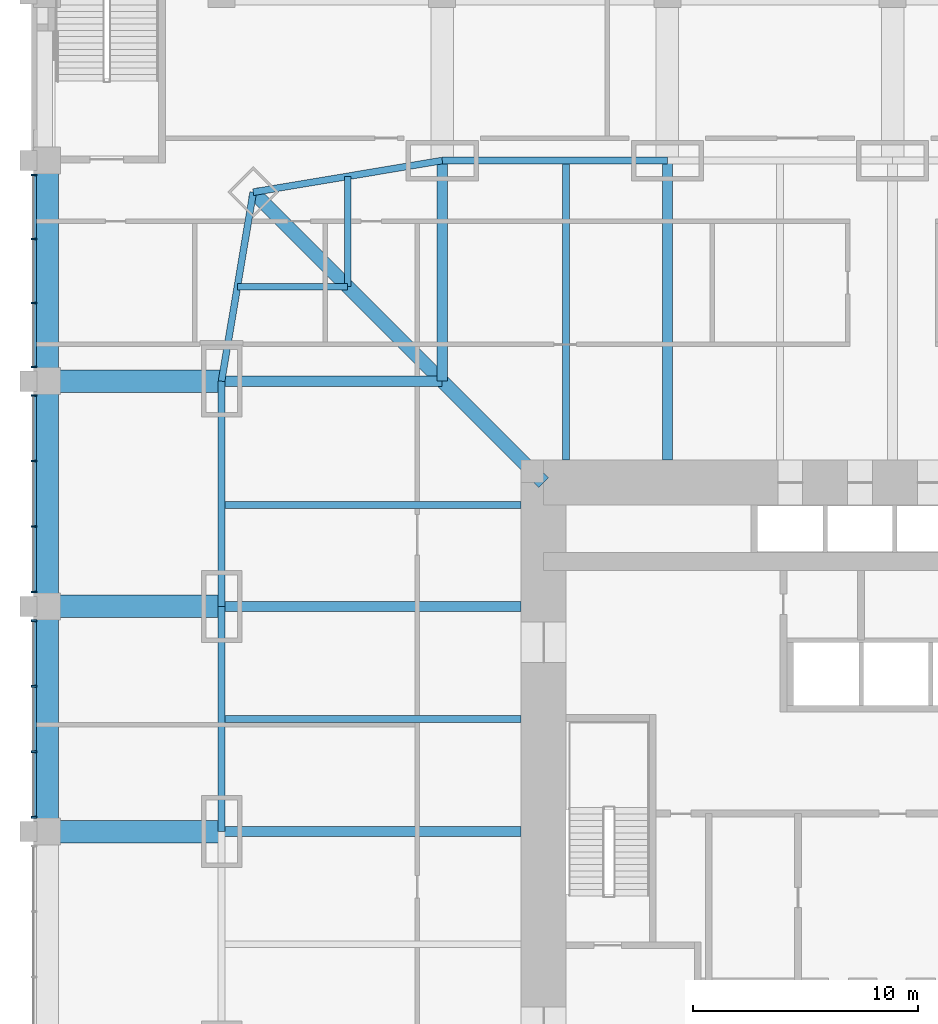
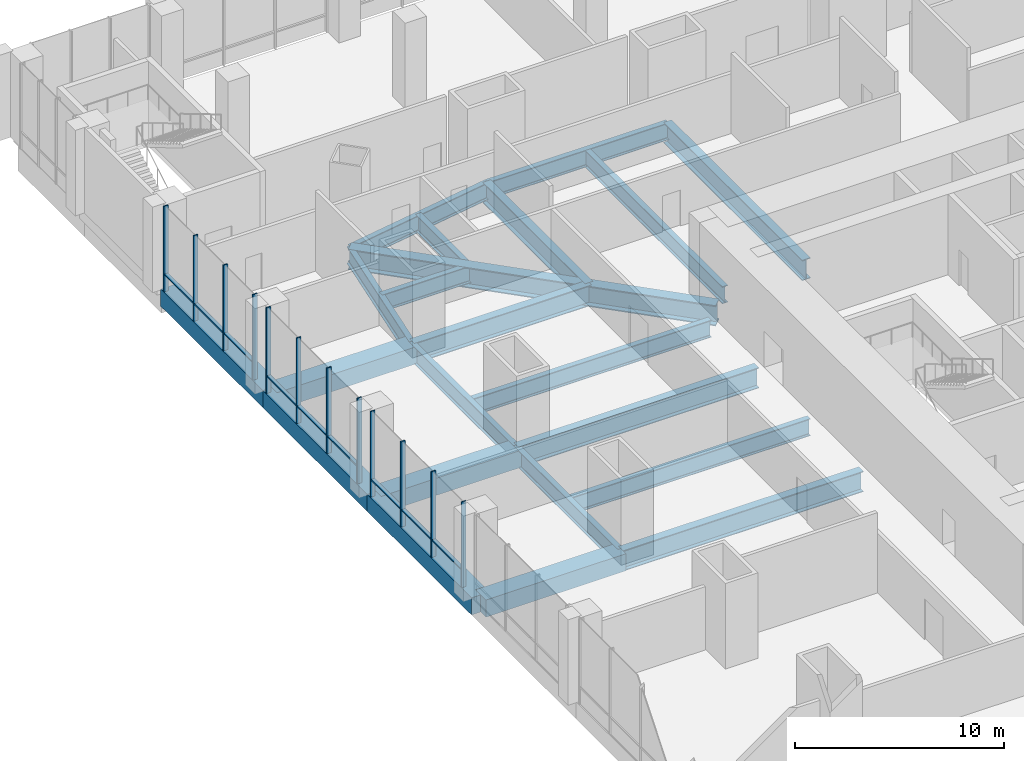
# One storey, part 6 of 24: 22 beams, 21 members, 3 elements without a shape of their own.
"""IFC4 building model written with IfcOpenShell, lengths in metres."""

import ifcopenshell
import ifcopenshell.guid

model = None  # the IFC model being written
_history = None  # IfcOwnerHistory: only IFC2X3 demands one
_inside = {}  # id of a spatial element -> (the spatial element, [elements in it])
_under = {}  # id of a project, library or spatial element -> (it, [spatial elements below it])
_declared = {}  # id of a project -> (the project, [libraries it declares])
_typed = {}  # id of a type object -> (the type object, [elements of that type])
_made_of = {}  # id of a material, layer set ... -> (it, [elements and type objects made of it])


def new_model(schema):
    """Start an empty IFC model of exactly this schema.

    Asked for "IFC4X3", IfcOpenShell would pick the latest addendum, in which some entities
    have other attributes; the version numbers below select the first issue.
    IFC2X3 requires an IfcOwnerHistory on every rooted entity: one is made here for all.
    """
    global model, _history
    if schema == "IFC4X3":
        model = ifcopenshell.file(schema_version=(4, 3, 0, 0))
    else:
        model = ifcopenshell.file(schema=schema)
    _inside.clear()
    _under.clear()
    _declared.clear()
    _typed.clear()
    _made_of.clear()
    _history = None
    if model.schema == "IFC2X3":
        org = make("IfcOrganization", Name="unknown")
        user = make(
            "IfcPersonAndOrganization",
            ThePerson=make("IfcPerson", FamilyName="unknown"),
            TheOrganization=org,
        )
        app = make(
            "IfcApplication",
            ApplicationDeveloper=org,
            Version="unknown",
            ApplicationFullName="unknown",
            ApplicationIdentifier="unknown",
        )
        _history = make(
            "IfcOwnerHistory",
            OwningUser=user,
            OwningApplication=app,
            ChangeAction="ADDED",
            CreationDate=0,
        )
    return model


def make(cls, **values):
    """One entity of the class cls with the attributes given. An attribute that is None is left unset."""
    return model.create_entity(
        cls, **{name: value for name, value in values.items() if value is not None}
    )


def rooted(cls, **values):
    """An entity with a GlobalId (a new one), such as an element, a storey or a relation."""
    return make(cls, GlobalId=ifcopenshell.guid.new(), OwnerHistory=_history, **values)


def si_unit(unit_type, name, prefix=None):
    """IfcSIUnit, for example si_unit("LENGTHUNIT", "METRE", prefix="MILLI")."""
    return make("IfcSIUnit", UnitType=unit_type, Prefix=prefix, Name=name)


def assignment(units):
    """IfcUnitAssignment: the units of a project."""
    return None if units is None else make("IfcUnitAssignment", Units=units)


def point(xyz):
    """IfcCartesianPoint."""
    return None if xyz is None else make("IfcCartesianPoint", Coordinates=xyz)


def direction(xyz):
    """IfcDirection."""
    return None if xyz is None else make("IfcDirection", DirectionRatios=xyz)


def frame(location, z_axis=None, x_axis=None):
    """IfcAxis2Placement3D, a coordinate frame: its origin and axes. An axis left out is left unset."""
    return make(
        "IfcAxis2Placement3D",
        Location=point(location),
        Axis=direction(z_axis),
        RefDirection=direction(x_axis),
    )


def frame_2d(location, x_axis=None):
    """IfcAxis2Placement2D, a coordinate frame in the plane: its origin and x axis."""
    return make(
        "IfcAxis2Placement2D", Location=point(location), RefDirection=direction(x_axis)
    )


def origin():
    """The frame at (0, 0, 0) with its axes left unset."""
    return frame((0.0, 0.0, 0.0))


def origin_2d():
    """The frame at (0, 0) in the plane with its x axis left unset."""
    return frame_2d((0.0, 0.0))


def place(relative_to, where):
    """IfcLocalPlacement: puts the frame where relative to a parent placement (None: the world)."""
    return make(
        "IfcLocalPlacement", PlacementRelTo=relative_to, RelativePlacement=where
    )


def context(
    kind, dimensions, precision=None, world=None, true_north=None, identifier=None
):
    """IfcGeometricRepresentationContext, for example the 3D "Model" context."""
    return make(
        "IfcGeometricRepresentationContext",
        ContextIdentifier=identifier,
        ContextType=kind,
        CoordinateSpaceDimension=dimensions,
        Precision=precision,
        WorldCoordinateSystem=world,
        TrueNorth=true_north,
    )


def subcontext(parent, identifier, kind, view, scale=None):
    """IfcGeometricRepresentationSubContext, for example "Body" below "Model"."""
    return make(
        "IfcGeometricRepresentationSubContext",
        ContextIdentifier=identifier,
        ContextType=kind,
        ParentContext=parent,
        TargetScale=scale,
        TargetView=view,
    )


def project(units=None, contexts=None):
    """IfcProject with its units and contexts."""
    return rooted(
        "IfcProject",
        Name="project",
        RepresentationContexts=contexts,
        UnitsInContext=assignment(units),
    )


def spatial(cls, under=None, at=None, **own):
    """A site, building, storey or space (cls), placed at a placement, below another one or the project."""
    s = rooted(cls, ObjectPlacement=at, **own)
    if under is not None:
        _under.setdefault(under.id(), (under, []))[1].append(s)
    return s


def profile(cls, at=None, kind="AREA", **sizes):
    """A parametric profile (cls). Its sizes go by their IFC names, for example OverallWidth=200.0."""
    return make(cls, ProfileType=kind, Position=at, **sizes)


def rectangle(**sizes):
    """IfcRectangleProfileDef."""
    return profile("IfcRectangleProfileDef", **sizes)


def i_section(**sizes):
    """IfcIShapeProfileDef."""
    return profile("IfcIShapeProfileDef", **sizes)


def extrude(swept, where, along, depth):
    """IfcExtrudedAreaSolid: the profile swept, set in the frame where, extruded along a direction by depth."""
    return make(
        "IfcExtrudedAreaSolid",
        SweptArea=swept,
        Position=where,
        ExtrudedDirection=direction(along),
        Depth=depth,
    )


def shape(context_of_items, identifier, shape_type, items):
    """IfcShapeRepresentation: the items that make up one representation, for example the "Body"."""
    return make(
        "IfcShapeRepresentation",
        ContextOfItems=context_of_items,
        RepresentationIdentifier=identifier,
        RepresentationType=shape_type,
        Items=items,
    )


def material(Name=None, Category=None):
    """IfcMaterial."""
    return make("IfcMaterial", Name=Name, Category=Category)


def material_profile(
    of_material, cross_section, Name=None, Category=None, Priority=None
):
    """IfcMaterialProfile: a cross section and its material."""
    return make(
        "IfcMaterialProfile",
        Name=Name,
        Material=of_material,
        Profile=cross_section,
        Priority=Priority,
        Category=Category,
    )


def profile_set(profiles, Name=None, composite=None):
    """IfcMaterialProfileSet."""
    return make(
        "IfcMaterialProfileSet",
        Name=Name,
        MaterialProfiles=profiles,
        CompositeProfile=composite,
    )


def made_of(thing, what):
    """Note that an element or type object is made of a material, layer set ...; save() writes the relation."""
    if what is not None:
        _made_of.setdefault(what.id(), (what, []))[1].append(thing)
    return thing


def type_object(cls, material=None, **own):
    """A type object (cls), such as IfcWallType, which elements share."""
    return made_of(rooted(cls, **own), material)


def element(
    cls,
    number,
    at=None,
    inside=None,
    cuts=None,
    type_object=None,
    material=None,
    context=None,
    identifier="Body",
    shape_type=None,
    held_by="IfcProductDefinitionShape",
    body=None,
    shapes=None,
    **own,
):
    """One element of the class cls, such as IfcWall. Its Tag is "e" and its number.

    at: its placement. inside: the storey or other place that contains it. cuts: it is an
    opening in that element (IfcRelVoidsElement). A single representation is given by context,
    identifier, shape_type and body (its items); several are given by shapes. held_by: the class
    of the entity that holds the representations. save() writes the other relations.
    """
    e = rooted(cls, Tag="e%d" % number, ObjectPlacement=at, **own)
    if body is not None:
        shapes = [shape(context, identifier, shape_type, body)]
    if shapes is not None:
        e.Representation = make(held_by, Representations=shapes)
    if inside is not None:
        _inside.setdefault(inside.id(), (inside, []))[1].append(e)
    if cuts is not None:
        rooted(
            "IfcRelVoidsElement", RelatingBuildingElement=cuts, RelatedOpeningElement=e
        )
    if type_object is not None:
        _typed.setdefault(type_object.id(), (type_object, []))[1].append(e)
    return made_of(e, material)


def aggregate(whole, parts):
    """IfcRelAggregates: a whole, such as a stair, and the parts it consists of."""
    return rooted("IfcRelAggregates", RelatingObject=whole, RelatedObjects=parts)


def save(model, path):
    """Write the relations noted so far, then the file.

    IfcRelAggregates (storeys below a building ...), IfcRelContainedInSpatialStructure (elements
    in a storey), IfcRelDefinesByType, IfcRelAssociatesMaterial and IfcRelDeclares: one each for
    every whole, place, type object, material and project.
    """
    for whole, parts in _under.values():
        aggregate(whole, parts)
    for where, things in _inside.values():
        rooted(
            "IfcRelContainedInSpatialStructure",
            RelatedElements=things,
            RelatingStructure=where,
        )
    for kind, things in _typed.values():
        rooted("IfcRelDefinesByType", RelatedObjects=things, RelatingType=kind)
    for what, things in _made_of.values():
        rooted("IfcRelAssociatesMaterial", RelatedObjects=things, RelatingMaterial=what)
    for by, libraries in _declared.values():
        rooted("IfcRelDeclares", RelatingContext=by, RelatedDefinitions=libraries)
    model.write(path)


model = new_model("IFC4")

# Units and contexts
model_context = context("Model", 3, precision=1e-05, world=origin(), true_north=direction((0.0, 1.0)))
body_context = subcontext(model_context, "Body", "Model", "MODEL_VIEW")
ifc_project = project(units=[si_unit("LENGTHUNIT", "METRE"), si_unit("AREAUNIT", "SQUARE_METRE"), si_unit("VOLUMEUNIT", "CUBIC_METRE"), si_unit("PLANEANGLEUNIT", "RADIAN"), si_unit("MASSUNIT", "GRAM", prefix="KILO")], contexts=[model_context])

# Site, building, storey
site_placement = place(None, origin())
site = spatial("IfcSite", under=ifc_project, at=site_placement, CompositionType="ELEMENT")
building_placement = place(site_placement, origin())
building = spatial("IfcBuilding", under=site, at=building_placement, Name="Khuree Lantern Residences", CompositionType="ELEMENT")
storey_placement = place(building_placement, frame((0.0, 0.0, 6.0)))
storey = spatial("IfcBuildingStorey", under=building, at=storey_placement, Name="L01", CompositionType="ELEMENT", Elevation=6.0)

# Beams
ifc_material_1 = material(Name="Steel S355", Category="steel")
ifc_material_profile_1 = material_profile(ifc_material_1, i_section(OverallWidth=0.300048828125, OverallDepth=1.0, WebThickness=0.01904296875, FlangeThickness=0.035888671875, FilletRadius=0.030029296875, at=origin_2d()), Name="HE 1000 B")
ifc_profile_set_1 = profile_set([ifc_material_profile_1], Name="Steel S355")
beam_type_1 = type_object("IfcBeamType", Name="B-01 SECONDARY BEAM HE 1000 B", PredefinedType="BEAM", material=ifc_profile_set_1)
for number, where, z_axis, x_axis, name in (
    (1, (-14.5, 29.800048828125, -0.800048828125), (0.0, -1.0, 0.0), (1.0, 0.0, 0.0), "Secondary beam N1"),
    (2, (-29.800048828125, 5.0, -0.800048828125), (1.0, 0.0, 0.0), (0.0, 1.0, 0.0), "Secondary beam W4"),
    (3, (-29.800048828125, 14.5, -0.800048828125), (1.0, 0.0, 0.0), (0.0, 1.0, 0.0), "Secondary beam W5"),
):
    element("IfcBeam", number, at=place(storey_placement, frame(where, z_axis=z_axis, x_axis=x_axis)), inside=storey, type_object=beam_type_1, Name=name, PredefinedType="BEAM", context=body_context, shape_type="SweptSolid", body=[
        extrude(i_section(OverallWidth=0.300048828125, OverallDepth=1.0, WebThickness=0.01904296875, FlangeThickness=0.035888671875, FilletRadius=0.030029296875, at=origin_2d()), origin(), (0.0, 0.0, 1.0), 13.300048828125),
    ])
for number, where, z_axis, x_axis, name in (
    (4, (-29.09716796875, 24.197021484375, -0.800048828125), (1.0, 0.0, 0.0), (0.0, 1.0, 0.0), "Secondary beam W6"),
    (5, (-24.197021484375, 29.09716796875, -0.800048828125), (0.0, -1.0, 0.0), (1.0, 0.0, 0.0), "Secondary beam N6"),
):
    element("IfcBeam", number, at=place(storey_placement, frame(where, z_axis=z_axis, x_axis=x_axis)), inside=storey, type_object=beam_type_1, Name=name, PredefinedType="BEAM", context=body_context, shape_type="SweptSolid", body=[
        extrude(i_section(OverallWidth=0.300048828125, OverallDepth=1.0, WebThickness=0.01904296875, FlangeThickness=0.035888671875, FilletRadius=0.030029296875, at=origin_2d()), origin(), (0.0, 0.0, 1.0), 4.900146484375),
    ])
ifc_material_profile_2 = material_profile(ifc_material_1, i_section(OverallWidth=0.300048828125, OverallDepth=1.0, WebThickness=0.01904296875, FlangeThickness=0.035888671875, FilletRadius=0.030029296875, at=origin_2d()), Name="HE 1000 B")
ifc_profile_set_2 = profile_set([ifc_material_profile_2], Name="Steel S355")
beam_type_2 = type_object("IfcBeamType", Name="E-01 SPANDREL BEAM HE 1000 B", PredefinedType="SPANDREL", material=ifc_profile_set_2)
for number, where, z_axis, x_axis, name in (
    (6, (-20.0, 29.800048828125, -0.800048828125), (1.0, 0.0, 0.0), (0.0, 1.0, 0.0), "Spandrel beam N1"),
    (7, (-29.800048828125, 0.0, -0.800048828125), (0.0, 1.0, 0.0), (-1.0, 0.0, 0.0), "Spandrel beam W4"),
    (8, (-29.800048828125, 10.0, -0.800048828125), (0.0, 1.0, 0.0), (-1.0, 0.0, 0.0), "Spandrel beam W5"),
):
    element("IfcBeam", number, at=place(storey_placement, frame(where, z_axis=z_axis, x_axis=x_axis)), inside=storey, type_object=beam_type_2, Name=name, PredefinedType="SPANDREL", context=body_context, shape_type="SweptSolid", body=[
        extrude(i_section(OverallWidth=0.300048828125, OverallDepth=1.0, WebThickness=0.01904296875, FlangeThickness=0.035888671875, FilletRadius=0.030029296875, at=origin_2d()), origin(), (0.0, 0.0, 1.0), 10.0),
    ])
for number, where, z_axis, x_axis, name in (
    (9, (-29.800048828125, 20.0, -0.800048828125), (0.165199022349, 0.986260251158, 0.0), (-0.986260251158, 0.165199022349, 0.0), "Spandrel beam W6"),
    (10, (-28.39404296875, 28.39404296875, -0.800048828125), (0.986260251158, 0.165199022349, 0.0), (-0.165199022349, 0.986260251158, 0.0), "Spandrel beam N6"),
):
    element("IfcBeam", number, at=place(storey_placement, frame(where, z_axis=z_axis, x_axis=x_axis)), inside=storey, type_object=beam_type_2, Name=name, PredefinedType="SPANDREL", context=body_context, shape_type="SweptSolid", body=[
        extrude(i_section(OverallWidth=0.300048828125, OverallDepth=1.0, WebThickness=0.01904296875, FlangeThickness=0.035888671875, FilletRadius=0.030029296875, at=origin_2d()), origin(), (0.0, 0.0, 1.0), 8.510986328125),
    ])
ifc_material_profile_3 = material_profile(ifc_material_1, i_section(OverallWidth=0.449951171875, OverallDepth=1.199951171875, WebThickness=0.02490234375, FlangeThickness=0.044921875, at=origin_2d()), Name="WELDED I 1200X450X25X45")
ifc_profile_set_3 = profile_set([ifc_material_profile_3], Name="Steel S355")
beam_type_3 = type_object("IfcBeamType", Name="G-01 GIRDER WELDED I 1200X450X25X45", PredefinedType="BEAM", material=ifc_profile_set_3)
beam_1_placement = place(storey_placement, frame((-20.0, 29.800048828125, -0.89990234375), z_axis=(0.0, -1.0, 0.0), x_axis=(1.0, 0.0, 0.0)))
element("IfcBeam", 11, at=beam_1_placement, inside=storey, type_object=beam_type_3, Name="Girder N1", PredefinedType="BEAM", context=body_context, shape_type="SweptSolid", body=[
    extrude(i_section(OverallWidth=0.449951171875, OverallDepth=1.199951171875, WebThickness=0.02490234375, FlangeThickness=0.044921875, at=origin_2d()), origin(), (0.0, 0.0, 1.0), 9.800048828125),
])
for number, where, z_axis, x_axis, name in (
    (12, (-10.0, 29.800048828125, -0.89990234375), (0.0, -1.0, 0.0), (1.0, 0.0, 0.0), "Girder N2"),
    (13, (-29.800048828125, 0.0, -0.89990234375), (1.0, 0.0, 0.0), (0.0, 1.0, 0.0), "Girder W3"),
    (14, (-29.800048828125, 10.0, -0.89990234375), (1.0, 0.0, 0.0), (0.0, 1.0, 0.0), "Girder W4"),
):
    element("IfcBeam", number, at=place(storey_placement, frame(where, z_axis=z_axis, x_axis=x_axis)), inside=storey, type_object=beam_type_3, Name=name, PredefinedType="BEAM", context=body_context, shape_type="SweptSolid", body=[
        extrude(i_section(OverallWidth=0.449951171875, OverallDepth=1.199951171875, WebThickness=0.02490234375, FlangeThickness=0.044921875, at=origin_2d()), origin(), (0.0, 0.0, 1.0), 13.300048828125),
    ])
beam_2_placement = place(storey_placement, frame((-29.800048828125, 20.0, -0.89990234375), z_axis=(1.0, 0.0, 0.0), x_axis=(0.0, 1.0, 0.0)))
element("IfcBeam", 15, at=beam_2_placement, inside=storey, type_object=beam_type_3, Name="Girder W5", PredefinedType="BEAM", context=body_context, shape_type="SweptSolid", body=[
    extrude(i_section(OverallWidth=0.449951171875, OverallDepth=1.199951171875, WebThickness=0.02490234375, FlangeThickness=0.044921875, at=origin_2d()), origin(), (0.0, 0.0, 1.0), 9.800048828125),
])
ifc_material_profile_4 = material_profile(ifc_material_1, i_section(OverallWidth=0.60009765625, OverallDepth=1.199951171875, WebThickness=0.030029296875, FlangeThickness=0.06005859375, at=origin_2d()), Name="WELDED I 1200X600X30X60")
ifc_profile_set_4 = profile_set([ifc_material_profile_4], Name="Steel S355")
beam_type_4 = type_object("IfcBeamType", Name="GD-01 CORNER GIRDER WELDED I 1200X600X30X60", PredefinedType="BEAM", material=ifc_profile_set_4)
beam_3_placement = place(storey_placement, frame((-28.39404296875, 28.39404296875, -0.89990234375), z_axis=(0.707106781187, -0.707106781187, 0.0), x_axis=(0.707106781187, 0.707106781187, 0.0)))
element("IfcBeam", 16, at=beam_3_placement, inside=storey, type_object=beam_type_4, Name="Corner girder NW", PredefinedType="BEAM", context=body_context, shape_type="SweptSolid", body=[
    extrude(i_section(OverallWidth=0.60009765625, OverallDepth=1.199951171875, WebThickness=0.030029296875, FlangeThickness=0.06005859375, at=origin_2d()), origin(), (0.0, 0.0, 1.0), 18.23486328125),
])

# Curtain wall, members
ifc_material_2 = material(Name="Bronze anodised aluminium", Category="aluminium")
curtain_wall_type = type_object("IfcCurtainWallType", Name="CW-P PODIUM STOREFRONT CURTAIN WALL", PredefinedType="USERDEFINED", material=ifc_material_2)
curtain_wall_1_placement = place(storey_placement, origin())
curtain_wall_1 = element("IfcCurtainWall", 17, at=curtain_wall_1_placement, inside=storey, type_object=curtain_wall_type, Name="L01 WEST FACE BAY 3 STOREFRONT", ObjectType="Storefront curtain wall", PredefinedType="USERDEFINED")
ifc_material_profile_5 = material_profile(ifc_material_2, rectangle(XDim=0.074951171875, YDim=0.25, at=origin_2d()), Name="M5 75X250")
ifc_profile_set_5 = profile_set([ifc_material_profile_5], Name="Bronze anodised aluminium")
member_type_1 = type_object("IfcMemberType", Name="MULLION M5 STOREFRONT 75X250", PredefinedType="MULLION", material=ifc_profile_set_5)
member_1_placement = place(storey_placement, frame((-38.125, 29.16259765625, 0.0), z_axis=(0.0, 0.0, 1.0), x_axis=(0.0, -1.0, 0.0)))
member_1 = element("IfcMember", 18, at=member_1_placement, type_object=member_type_1, Name="L01 WEST FACE BAY 3 MULLION 1", PredefinedType="MULLION", context=body_context, shape_type="SweptSolid", body=[
    extrude(rectangle(XDim=0.074951171875, YDim=0.25, at=origin_2d()), origin(), (0.0, 0.0, 1.0), 5.0),
])
member_2_placement = place(storey_placement, frame((-38.125, 26.32080078125, 0.0), z_axis=(0.0, 0.0, 1.0), x_axis=(0.0, -1.0, 0.0)))
member_2 = element("IfcMember", 19, at=member_2_placement, type_object=member_type_1, Name="L01 WEST FACE BAY 3 MULLION 2", PredefinedType="MULLION", context=body_context, shape_type="SweptSolid", body=[
    extrude(rectangle(XDim=0.074951171875, YDim=0.25, at=origin_2d()), origin(), (0.0, 0.0, 1.0), 5.0),
])
member_3_placement = place(storey_placement, frame((-38.125, 23.479248046875, 0.0), z_axis=(0.0, 0.0, 1.0), x_axis=(0.0, -1.0, 0.0)))
member_3 = element("IfcMember", 20, at=member_3_placement, type_object=member_type_1, Name="L01 WEST FACE BAY 3 MULLION 3", PredefinedType="MULLION", context=body_context, shape_type="SweptSolid", body=[
    extrude(rectangle(XDim=0.074951171875, YDim=0.25, at=origin_2d()), origin(), (0.0, 0.0, 1.0), 5.0),
])
member_4_placement = place(storey_placement, frame((-38.125, 20.637451171875, 0.0), z_axis=(0.0, 0.0, 1.0), x_axis=(0.0, -1.0, 0.0)))
member_4 = element("IfcMember", 21, at=member_4_placement, type_object=member_type_1, Name="L01 WEST FACE BAY 3 MULLION 4", PredefinedType="MULLION", context=body_context, shape_type="SweptSolid", body=[
    extrude(rectangle(XDim=0.074951171875, YDim=0.25, at=origin_2d()), origin(), (0.0, 0.0, 1.0), 5.0),
])

curtain_wall_2_placement = place(storey_placement, origin())
curtain_wall_2 = element("IfcCurtainWall", 22, at=curtain_wall_2_placement, inside=storey, type_object=curtain_wall_type, Name="L01 WEST FACE BAY 4 STOREFRONT", ObjectType="Storefront curtain wall", PredefinedType="USERDEFINED")
member_5_placement = place(storey_placement, frame((-38.125, 19.362548828125, 0.0), z_axis=(0.0, 0.0, 1.0), x_axis=(0.0, -1.0, 0.0)))
member_5 = element("IfcMember", 23, at=member_5_placement, type_object=member_type_1, Name="L01 WEST FACE BAY 4 MULLION 1", PredefinedType="MULLION", context=body_context, shape_type="SweptSolid", body=[
    extrude(rectangle(XDim=0.074951171875, YDim=0.25, at=origin_2d()), origin(), (0.0, 0.0, 1.0), 5.0),
])
member_6_placement = place(storey_placement, frame((-38.125, 16.4541015625, 0.0), z_axis=(0.0, 0.0, 1.0), x_axis=(0.0, -1.0, 0.0)))
member_6 = element("IfcMember", 24, at=member_6_placement, type_object=member_type_1, Name="L01 WEST FACE BAY 4 MULLION 2", PredefinedType="MULLION", context=body_context, shape_type="SweptSolid", body=[
    extrude(rectangle(XDim=0.074951171875, YDim=0.25, at=origin_2d()), origin(), (0.0, 0.0, 1.0), 5.0),
])
member_7_placement = place(storey_placement, frame((-38.125, 13.5458984375, 0.0), z_axis=(0.0, 0.0, 1.0), x_axis=(0.0, -1.0, 0.0)))
member_7 = element("IfcMember", 25, at=member_7_placement, type_object=member_type_1, Name="L01 WEST FACE BAY 4 MULLION 3", PredefinedType="MULLION", context=body_context, shape_type="SweptSolid", body=[
    extrude(rectangle(XDim=0.074951171875, YDim=0.25, at=origin_2d()), origin(), (0.0, 0.0, 1.0), 5.0),
])
member_8_placement = place(storey_placement, frame((-38.125, 10.637451171875, 0.0), z_axis=(0.0, 0.0, 1.0), x_axis=(0.0, -1.0, 0.0)))
member_8 = element("IfcMember", 26, at=member_8_placement, type_object=member_type_1, Name="L01 WEST FACE BAY 4 MULLION 4", PredefinedType="MULLION", context=body_context, shape_type="SweptSolid", body=[
    extrude(rectangle(XDim=0.074951171875, YDim=0.25, at=origin_2d()), origin(), (0.0, 0.0, 1.0), 5.0),
])

curtain_wall_3_placement = place(storey_placement, origin())
curtain_wall_3 = element("IfcCurtainWall", 27, at=curtain_wall_3_placement, inside=storey, type_object=curtain_wall_type, Name="L01 WEST FACE BAY 5 STOREFRONT", ObjectType="Storefront curtain wall", PredefinedType="USERDEFINED")
member_9_placement = place(storey_placement, frame((-38.125, 9.362548828125, 0.0), z_axis=(0.0, 0.0, 1.0), x_axis=(0.0, -1.0, 0.0)))
member_9 = element("IfcMember", 28, at=member_9_placement, type_object=member_type_1, Name="L01 WEST FACE BAY 5 MULLION 1", PredefinedType="MULLION", context=body_context, shape_type="SweptSolid", body=[
    extrude(rectangle(XDim=0.074951171875, YDim=0.25, at=origin_2d()), origin(), (0.0, 0.0, 1.0), 5.0),
])
member_10_placement = place(storey_placement, frame((-38.125, 6.4541015625, 0.0), z_axis=(0.0, 0.0, 1.0), x_axis=(0.0, -1.0, 0.0)))
member_10 = element("IfcMember", 29, at=member_10_placement, type_object=member_type_1, Name="L01 WEST FACE BAY 5 MULLION 2", PredefinedType="MULLION", context=body_context, shape_type="SweptSolid", body=[
    extrude(rectangle(XDim=0.074951171875, YDim=0.25, at=origin_2d()), origin(), (0.0, 0.0, 1.0), 5.0),
])
member_11_placement = place(storey_placement, frame((-38.125, 3.5458984375, 0.0), z_axis=(0.0, 0.0, 1.0), x_axis=(0.0, -1.0, 0.0)))
member_11 = element("IfcMember", 30, at=member_11_placement, type_object=member_type_1, Name="L01 WEST FACE BAY 5 MULLION 3", PredefinedType="MULLION", context=body_context, shape_type="SweptSolid", body=[
    extrude(rectangle(XDim=0.074951171875, YDim=0.25, at=origin_2d()), origin(), (0.0, 0.0, 1.0), 5.0),
])
member_12_placement = place(storey_placement, frame((-38.125, 0.637451171875, 0.0), z_axis=(0.0, 0.0, 1.0), x_axis=(0.0, -1.0, 0.0)))
member_12 = element("IfcMember", 31, at=member_12_placement, type_object=member_type_1, Name="L01 WEST FACE BAY 5 MULLION 4", PredefinedType="MULLION", context=body_context, shape_type="SweptSolid", body=[
    extrude(rectangle(XDim=0.074951171875, YDim=0.25, at=origin_2d()), origin(), (0.0, 0.0, 1.0), 5.0),
])

# Beams
ifc_material_3 = material(Name="Concrete C40/50", Category="concrete")
ifc_material_profile_6 = material_profile(ifc_material_3, rectangle(XDim=1.0, YDim=1.0, at=origin_2d()), Name="RC 1000X1000")
ifc_profile_set_6 = profile_set([ifc_material_profile_6], Name="Concrete C40/50")
beam_type_5 = type_object("IfcBeamType", Name="RB3 PODIUM BEAM RC 1000X1000", PredefinedType="BEAM", material=ifc_profile_set_6)
for number, where, z_axis, x_axis, name in (
    (32, (-37.550048828125, 0.0, -0.800048828125), (1.0, 0.0, 0.0), (0.0, 1.0, 0.0), "Podium beam RB-5"),
    (33, (-37.550048828125, 10.0, -0.800048828125), (1.0, 0.0, 0.0), (0.0, 1.0, 0.0), "Podium beam RB-7"),
    (34, (-37.550048828125, 20.0, -0.800048828125), (1.0, 0.0, 0.0), (0.0, 1.0, 0.0), "Podium beam RB-9"),
):
    element("IfcBeam", number, at=place(storey_placement, frame(where, z_axis=z_axis, x_axis=x_axis)), inside=storey, type_object=beam_type_5, Name=name, PredefinedType="BEAM", context=body_context, shape_type="SweptSolid", body=[
        extrude(rectangle(XDim=1.0, YDim=1.0, at=origin_2d()), origin(), (0.0, 0.0, 1.0), 7.75),
    ])
for number, where, z_axis, x_axis, name in (
    (35, (-37.550048828125, 0.0, -0.800048828125), (0.0, 1.0, 0.0), (-1.0, 0.0, 0.0), "Podium beam RB-28"),
    (36, (-37.550048828125, 10.0, -0.800048828125), (0.0, 1.0, 0.0), (-1.0, 0.0, 0.0), "Podium beam RB-29"),
):
    element("IfcBeam", number, at=place(storey_placement, frame(where, z_axis=z_axis, x_axis=x_axis)), inside=storey, type_object=beam_type_5, Name=name, PredefinedType="BEAM", context=body_context, shape_type="SweptSolid", body=[
        extrude(rectangle(XDim=1.0, YDim=1.0, at=origin_2d()), origin(), (0.0, 0.0, 1.0), 10.0),
    ])
beam_4_placement = place(storey_placement, frame((-37.550048828125, 20.0, -0.800048828125), z_axis=(0.0, 1.0, 0.0), x_axis=(-1.0, 0.0, 0.0)))
element("IfcBeam", 37, at=beam_4_placement, inside=storey, type_object=beam_type_5, Name="Podium beam RB-30", PredefinedType="BEAM", context=body_context, shape_type="SweptSolid", body=[
    extrude(rectangle(XDim=1.0, YDim=1.0, at=origin_2d()), origin(), (0.0, 0.0, 1.0), 9.800048828125),
])

# Member
ifc_material_profile_7 = material_profile(ifc_material_2, rectangle(XDim=0.199951171875, YDim=0.074951171875, at=origin_2d()), Name="T5 200X75")
ifc_profile_set_7 = profile_set([ifc_material_profile_7], Name="Bronze anodised aluminium")
member_type_2 = type_object("IfcMemberType", Name="TRANSOM T5 STOREFRONT 200X75", PredefinedType="USERDEFINED", material=ifc_profile_set_7)
member_13_placement = place(storey_placement, frame((-38.1201171875, 29.125, 1.0), z_axis=(0.0, -1.0, 0.0), x_axis=(1.0, 0.0, 0.0)))
member_13 = element("IfcMember", 38, at=member_13_placement, type_object=member_type_2, Name="L01 WEST FACE BAY 3 TRANSOM 1", ObjectType="Transom", PredefinedType="USERDEFINED", context=body_context, shape_type="SweptSolid", body=[
    extrude(rectangle(XDim=0.199951171875, YDim=0.074951171875, at=origin_2d()), origin(), (0.0, 0.0, 1.0), 2.7666015625),
])

member_14_placement = place(storey_placement, frame((-38.1201171875, 26.283447265625, 1.0), z_axis=(0.0, -1.0, 0.0), x_axis=(1.0, 0.0, 0.0)))
member_14 = element("IfcMember", 39, at=member_14_placement, type_object=member_type_2, Name="L01 WEST FACE BAY 3 TRANSOM 2", ObjectType="Transom", PredefinedType="USERDEFINED", context=body_context, shape_type="SweptSolid", body=[
    extrude(rectangle(XDim=0.199951171875, YDim=0.074951171875, at=origin_2d()), origin(), (0.0, 0.0, 1.0), 2.766845703125),
])

member_15_placement = place(storey_placement, frame((-38.1201171875, 23.441650390625, 1.0), z_axis=(0.0, -1.0, 0.0), x_axis=(1.0, 0.0, 0.0)))
member_15 = element("IfcMember", 40, at=member_15_placement, type_object=member_type_2, Name="L01 WEST FACE BAY 3 TRANSOM 3", ObjectType="Transom", PredefinedType="USERDEFINED", context=body_context, shape_type="SweptSolid", body=[
    extrude(rectangle(XDim=0.199951171875, YDim=0.074951171875, at=origin_2d()), origin(), (0.0, 0.0, 1.0), 2.7666015625),
])

aggregate(curtain_wall_1, [member_1, member_2, member_3, member_4, member_13, member_14, member_15])

member_16_placement = place(storey_placement, frame((-38.1201171875, 19.324951171875, 1.0), z_axis=(0.0, -1.0, 0.0), x_axis=(1.0, 0.0, 0.0)))
member_16 = element("IfcMember", 41, at=member_16_placement, type_object=member_type_2, Name="L01 WEST FACE BAY 4 TRANSOM 1", ObjectType="Transom", PredefinedType="USERDEFINED", context=body_context, shape_type="SweptSolid", body=[
    extrude(rectangle(XDim=0.199951171875, YDim=0.074951171875, at=origin_2d()), origin(), (0.0, 0.0, 1.0), 2.833251953125),
])

member_17_placement = place(storey_placement, frame((-38.1201171875, 16.416748046875, 1.0), z_axis=(0.0, -1.0, 0.0), x_axis=(1.0, 0.0, 0.0)))
member_17 = element("IfcMember", 42, at=member_17_placement, type_object=member_type_2, Name="L01 WEST FACE BAY 4 TRANSOM 2", ObjectType="Transom", PredefinedType="USERDEFINED", context=body_context, shape_type="SweptSolid", body=[
    extrude(rectangle(XDim=0.199951171875, YDim=0.074951171875, at=origin_2d()), origin(), (0.0, 0.0, 1.0), 2.83349609375),
])

member_18_placement = place(storey_placement, frame((-38.1201171875, 13.50830078125, 1.0), z_axis=(0.0, -1.0, 0.0), x_axis=(1.0, 0.0, 0.0)))
member_18 = element("IfcMember", 43, at=member_18_placement, type_object=member_type_2, Name="L01 WEST FACE BAY 4 TRANSOM 3", ObjectType="Transom", PredefinedType="USERDEFINED", context=body_context, shape_type="SweptSolid", body=[
    extrude(rectangle(XDim=0.199951171875, YDim=0.074951171875, at=origin_2d()), origin(), (0.0, 0.0, 1.0), 2.833251953125),
])

aggregate(curtain_wall_2, [member_5, member_6, member_7, member_8, member_16, member_17, member_18])

member_19_placement = place(storey_placement, frame((-38.1201171875, 9.324951171875, 1.0), z_axis=(0.0, -1.0, 0.0), x_axis=(1.0, 0.0, 0.0)))
member_19 = element("IfcMember", 44, at=member_19_placement, type_object=member_type_2, Name="L01 WEST FACE BAY 5 TRANSOM 1", ObjectType="Transom", PredefinedType="USERDEFINED", context=body_context, shape_type="SweptSolid", body=[
    extrude(rectangle(XDim=0.199951171875, YDim=0.074951171875, at=origin_2d()), origin(), (0.0, 0.0, 1.0), 2.833251953125),
])

member_20_placement = place(storey_placement, frame((-38.1201171875, 6.416748046875, 1.0), z_axis=(0.0, -1.0, 0.0), x_axis=(1.0, 0.0, 0.0)))
member_20 = element("IfcMember", 45, at=member_20_placement, type_object=member_type_2, Name="L01 WEST FACE BAY 5 TRANSOM 2", ObjectType="Transom", PredefinedType="USERDEFINED", context=body_context, shape_type="SweptSolid", body=[
    extrude(rectangle(XDim=0.199951171875, YDim=0.074951171875, at=origin_2d()), origin(), (0.0, 0.0, 1.0), 2.83349609375),
])

member_21_placement = place(storey_placement, frame((-38.1201171875, 3.50830078125, 1.0), z_axis=(0.0, -1.0, 0.0), x_axis=(1.0, 0.0, 0.0)))
member_21 = element("IfcMember", 46, at=member_21_placement, type_object=member_type_2, Name="L01 WEST FACE BAY 5 TRANSOM 3", ObjectType="Transom", PredefinedType="USERDEFINED", context=body_context, shape_type="SweptSolid", body=[
    extrude(rectangle(XDim=0.199951171875, YDim=0.074951171875, at=origin_2d()), origin(), (0.0, 0.0, 1.0), 2.833251953125),
])

aggregate(curtain_wall_3, [member_9, member_10, member_11, member_12, member_19, member_20, member_21])

save(model, "model.ifc")
